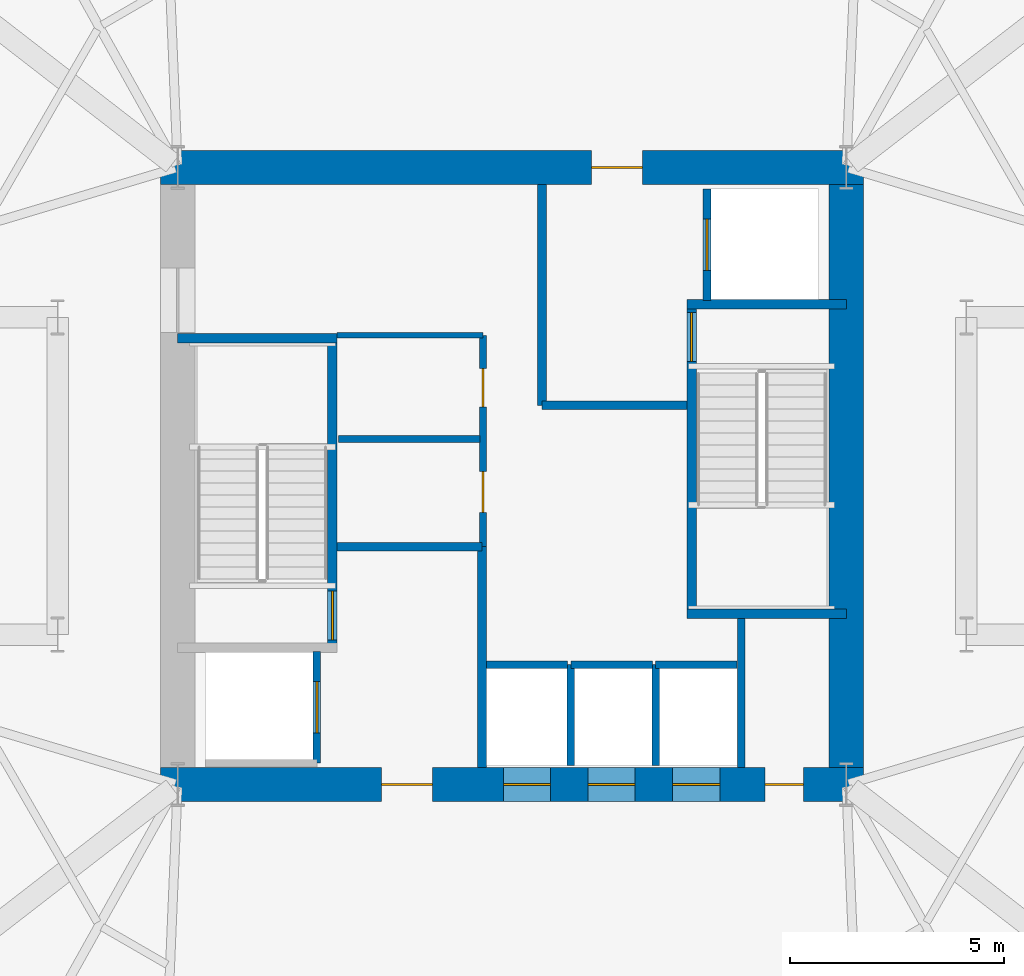
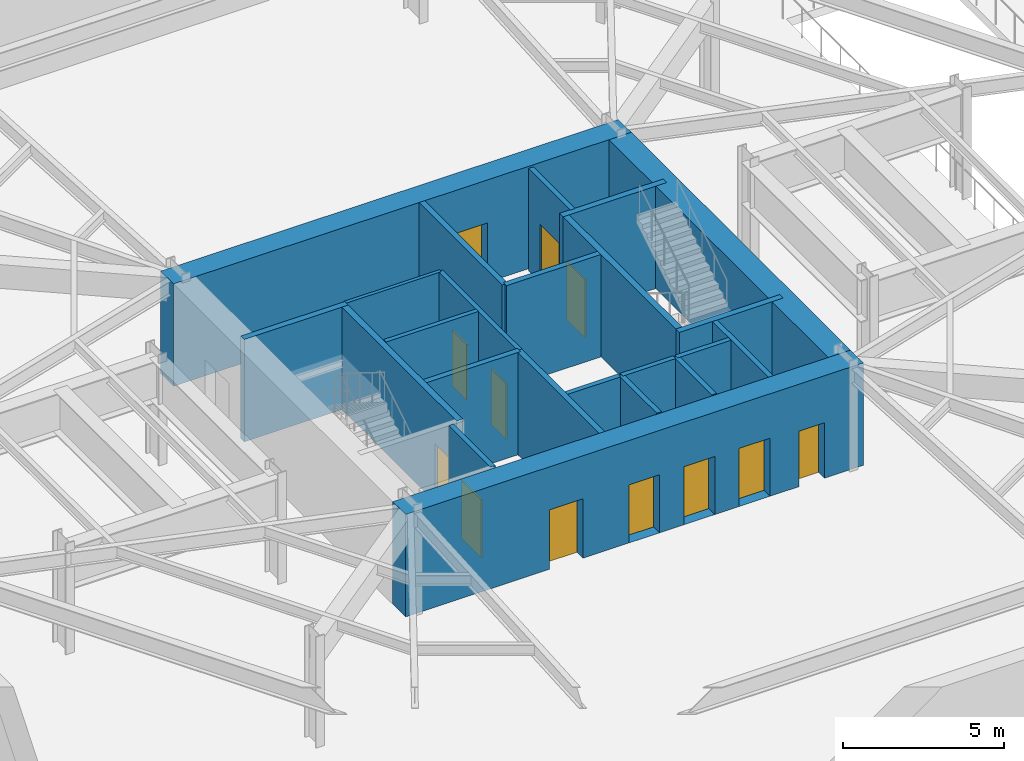
# One storey, part 7 of 12: 23 walls, 12 doors, 12 openings.
"""IFC4 building model written with IfcOpenShell, lengths in metres."""

from ifc_helpers import new_model, si_unit, direction, frame, frame_2d, origin, place, context, subcontext, project, spatial, rectangle, extrude, material, layer, layer_set, type_object, element, fill, save


model = new_model("IFC4")

# Units and contexts
model_context = context("Model", 3, precision=1e-05, world=origin(), true_north=direction((0.0, 1.0)))
body_context = subcontext(model_context, "Body", "Model", "MODEL_VIEW")
ifc_project = project(units=[si_unit("LENGTHUNIT", "METRE"), si_unit("AREAUNIT", "SQUARE_METRE"), si_unit("VOLUMEUNIT", "CUBIC_METRE"), si_unit("PLANEANGLEUNIT", "RADIAN"), si_unit("MASSUNIT", "GRAM", prefix="KILO")], contexts=[model_context])

# Site, building, storey
site_placement = place(None, origin())
site = spatial("IfcSite", under=ifc_project, at=site_placement, CompositionType="ELEMENT")
building_placement = place(site_placement, origin())
building = spatial("IfcBuilding", under=site, at=building_placement, Name="Kranzbogen Civic Tower", CompositionType="ELEMENT")
storey_placement = place(building_placement, frame((0.0, 0.0, -4.199951171875)))
storey = spatial("IfcBuildingStorey", under=building, at=storey_placement, Name="B01", CompositionType="ELEMENT", Elevation=-4.199951171875)

# Wall
ifc_material_1 = material(Name="Insulated Metal-Stud Gypsum Partition")
ifc_layer_1 = layer(ifc_material_1, 0.125, Name="Insulated Metal-Stud Gypsum Partition")
ifc_layer_set_1 = layer_set([ifc_layer_1], Name="Insulated Metal-Stud Gypsum Partition")
wall_type_1 = type_object("IfcWallType", Name="Acoustic Inter-Room Partition 125 mm", PredefinedType="PARTITIONING", material=ifc_layer_set_1)
wall_1_placement = place(storey_placement, frame((20.919921875, 28.280029296875, 0.0), z_axis=(0.0, 0.0, 1.0), x_axis=(1.0, 0.0, 0.0)))
element("IfcWall", 1, at=wall_1_placement, inside=storey, type_object=wall_type_1, Name="B01 core auxiliary North wall", PredefinedType="PARTITIONING", context=body_context, shape_type="SweptSolid", body=[
    extrude(rectangle(XDim=3.405029296875, YDim=0.125, at=frame_2d((1.70263671875, 0.0))), origin(), (0.0, 0.0, 1.0), 3.8798828125),
])

# Wall, openings, doors
ifc_material_2 = material(Name="Concrete C55/67", Category="concrete")
ifc_layer_2 = layer(ifc_material_2, 0.800048828125, Name="Concrete C55/67")
ifc_layer_set_2 = layer_set([ifc_layer_2], Name="Concrete C55/67")
wall_type_2 = type_object("IfcWallType", Name="Central Core Shear Wall 800 mm", PredefinedType="SHEAR", material=ifc_layer_set_2)
wall_2_placement = place(storey_placement, frame((16.800048828125, 17.800048828125, 0.0), z_axis=(0.0, 0.0, 1.0), x_axis=(1.0, 0.0, 0.0)))
wall_2 = element("IfcWall", 2, at=wall_2_placement, inside=storey, type_object=wall_type_2, Name="B01 central core South shear wall", PredefinedType="SHEAR", context=body_context, shape_type="SweptSolid", body=[
    extrude(rectangle(XDim=16.39990234375, YDim=0.800048828125, at=frame_2d((8.199951171875, 0.0))), origin(), (0.0, 0.0, 1.0), 3.8798828125),
])
opening_1_placement = place(wall_2_placement, frame((5.14990234375, 0.0, 0.0)))
opening_1 = element("IfcOpeningElement", 3, at=opening_1_placement, cuts=wall_2, Name="Opening D-EX120", PredefinedType="OPENING", context=body_context, shape_type="SweptSolid", body=[
    extrude(rectangle(XDim=1.199951171875, YDim=2.25, at=frame_2d((0.60009765625, 1.125))), frame((0.0, 0.41015625, 0.0), z_axis=(0.0, -1.0, 0.0), x_axis=(1.0, 0.0, 0.0)), (0.0, 0.0, 1.0), 0.820068359375),
])
opening_2_placement = place(wall_2_placement, frame((14.10009765625, 0.0, 0.0)))
opening_2 = element("IfcOpeningElement", 4, at=opening_2_placement, cuts=wall_2, Name="Opening D-WC90", PredefinedType="OPENING", context=body_context, shape_type="SweptSolid", body=[
    extrude(rectangle(XDim=0.89990234375, YDim=2.10009765625, at=frame_2d((0.449951171875, 1.050048828125))), frame((0.0, 0.41015625, 0.0), z_axis=(0.0, -1.0, 0.0), x_axis=(1.0, 0.0, 0.0)), (0.0, 0.0, 1.0), 0.820068359375),
])
opening_3_placement = place(wall_2_placement, frame((8.0, 0.0, 0.0)))
opening_3 = element("IfcOpeningElement", 5, at=opening_3_placement, cuts=wall_2, Name="Opening LD-LP-01", PredefinedType="OPENING", context=body_context, shape_type="SweptSolid", body=[
    extrude(rectangle(XDim=1.10009765625, YDim=2.199951171875, at=frame_2d((0.550048828125, 1.10009765625))), frame((0.0, 0.41015625, 0.0), z_axis=(0.0, -1.0, 0.0), x_axis=(1.0, 0.0, 0.0)), (0.0, 0.0, 1.0), 0.820068359375),
])
opening_4_placement = place(wall_2_placement, frame((9.97509765625, 0.0, 0.0)))
opening_4 = element("IfcOpeningElement", 6, at=opening_4_placement, cuts=wall_2, Name="Opening LD-LP-02", PredefinedType="OPENING", context=body_context, shape_type="SweptSolid", body=[
    extrude(rectangle(XDim=1.10009765625, YDim=2.199951171875, at=frame_2d((0.550048828125, 1.10009765625))), frame((0.0, 0.41015625, 0.0), z_axis=(0.0, -1.0, 0.0), x_axis=(1.0, 0.0, 0.0)), (0.0, 0.0, 1.0), 0.820068359375),
])
opening_5_placement = place(wall_2_placement, frame((11.949951171875, 0.0, 0.0)))
opening_5 = element("IfcOpeningElement", 7, at=opening_5_placement, cuts=wall_2, Name="Opening LD-LP-03", PredefinedType="OPENING", context=body_context, shape_type="SweptSolid", body=[
    extrude(rectangle(XDim=1.10009765625, YDim=2.199951171875, at=frame_2d((0.550048828125, 1.10009765625))), frame((0.0, 0.41015625, 0.0), z_axis=(0.0, -1.0, 0.0), x_axis=(1.0, 0.0, 0.0)), (0.0, 0.0, 1.0), 0.820068359375),
])
ifc_material_3 = material(Name="Steel S355", Category="steel")
door_type_1 = type_object("IfcDoorType", Name="Exit Passageway Fire Door 1200x2250", OperationType="NOTDEFINED", PredefinedType="DOOR", material=ifc_material_3)
door_1_placement = place(opening_1_placement, origin())
door_1 = element("IfcDoor", 8, at=door_1_placement, inside=storey, type_object=door_type_1, Name="B01 West firefighting lobby corridor door", OperationType="SINGLE_SWING_RIGHT", OverallHeight=2.25, OverallWidth=1.199951171875, PredefinedType="DOOR", context=body_context, shape_type="SweptSolid", body=[
    extrude(rectangle(XDim=1.199951171875, YDim=2.25, at=frame_2d((0.60009765625, 1.125))), frame((0.0, 0.02490234375, 0.0), z_axis=(0.0, -1.0, 0.0), x_axis=(1.0, 0.0, 0.0)), (0.0, 0.0, 1.0), 0.050048828125),
])
fill(opening_1, door_1)
ifc_material_4 = material(Name="Pale Anodised Aluminium", Category="aluminium")
door_type_2 = type_object("IfcDoorType", Name="Passenger Lift Sliding Landing Door 1100x2200", OperationType="DOUBLE_DOOR_SLIDING", PredefinedType="DOOR", material=ifc_material_4)
door_2_placement = place(opening_3_placement, origin())
door_2 = element("IfcDoor", 9, at=door_2_placement, inside=storey, type_object=door_type_2, Name="B01 lift LP-01 sliding landing door", OperationType="DOUBLE_DOOR_SLIDING", OverallHeight=2.199951171875, OverallWidth=1.10009765625, PredefinedType="DOOR", context=body_context, shape_type="SweptSolid", body=[
    extrude(rectangle(XDim=1.10009765625, YDim=2.199951171875, at=frame_2d((0.550048828125, 1.10009765625))), frame((0.0, 0.02490234375, 0.0), z_axis=(0.0, -1.0, 0.0), x_axis=(1.0, 0.0, 0.0)), (0.0, 0.0, 1.0), 0.050048828125),
])
fill(opening_3, door_2)
door_3_placement = place(opening_4_placement, origin())
door_3 = element("IfcDoor", 10, at=door_3_placement, inside=storey, type_object=door_type_2, Name="B01 lift LP-02 sliding landing door", OperationType="DOUBLE_DOOR_SLIDING", OverallHeight=2.199951171875, OverallWidth=1.10009765625, PredefinedType="DOOR", context=body_context, shape_type="SweptSolid", body=[
    extrude(rectangle(XDim=1.10009765625, YDim=2.199951171875, at=frame_2d((0.550048828125, 1.10009765625))), frame((0.0, 0.02490234375, 0.0), z_axis=(0.0, -1.0, 0.0), x_axis=(1.0, 0.0, 0.0)), (0.0, 0.0, 1.0), 0.050048828125),
])
fill(opening_4, door_3)
door_4_placement = place(opening_5_placement, origin())
door_4 = element("IfcDoor", 11, at=door_4_placement, inside=storey, type_object=door_type_2, Name="B01 lift LP-03 sliding landing door", OperationType="DOUBLE_DOOR_SLIDING", OverallHeight=2.199951171875, OverallWidth=1.10009765625, PredefinedType="DOOR", context=body_context, shape_type="SweptSolid", body=[
    extrude(rectangle(XDim=1.10009765625, YDim=2.199951171875, at=frame_2d((0.550048828125, 1.10009765625))), frame((0.0, 0.02490234375, 0.0), z_axis=(0.0, -1.0, 0.0), x_axis=(1.0, 0.0, 0.0)), (0.0, 0.0, 1.0), 0.050048828125),
])
fill(opening_5, door_4)
ifc_material_5 = material(Name="Moisture-Resistant Laminate")
door_type_3 = type_object("IfcDoorType", Name="Standard Restroom and Store Door 900x2100", OperationType="NOTDEFINED", PredefinedType="DOOR", material=ifc_material_5)
door_5_placement = place(opening_2_placement, origin())
door_5 = element("IfcDoor", 12, at=door_5_placement, inside=storey, type_object=door_type_3, Name="B01 East electrical riser access door", OperationType="SINGLE_SWING_RIGHT", OverallHeight=2.10009765625, OverallWidth=0.89990234375, PredefinedType="DOOR", context=body_context, shape_type="SweptSolid", body=[
    extrude(rectangle(XDim=0.89990234375, YDim=2.10009765625, at=frame_2d((0.449951171875, 1.050048828125))), frame((0.0, 0.02490234375, 0.0), z_axis=(0.0, -1.0, 0.0), x_axis=(1.0, 0.0, 0.0)), (0.0, 0.0, 1.0), 0.050048828125),
])
fill(opening_2, door_5)

# Wall, opening, door
wall_3_placement = place(storey_placement, frame((33.199951171875, 32.199951171875, 0.0), z_axis=(0.0, 0.0, 1.0), x_axis=(-1.0, 0.0, 0.0)))
wall_3 = element("IfcWall", 13, at=wall_3_placement, inside=storey, type_object=wall_type_2, Name="B01 central core North shear wall", PredefinedType="SHEAR", context=body_context, shape_type="SweptSolid", body=[
    extrude(rectangle(XDim=16.39990234375, YDim=0.800048828125, at=frame_2d((8.199951171875, 0.0))), origin(), (0.0, 0.0, 1.0), 3.8798828125),
])
opening_6_placement = place(wall_3_placement, frame((5.14990234375, 0.0, 0.0)))
opening_6 = element("IfcOpeningElement", 14, at=opening_6_placement, cuts=wall_3, Name="Opening D-EX120", PredefinedType="OPENING", context=body_context, shape_type="SweptSolid", body=[
    extrude(rectangle(XDim=1.199951171875, YDim=2.25, at=frame_2d((0.60009765625, 1.125))), frame((0.0, 0.41015625, 0.0), z_axis=(0.0, -1.0, 0.0), x_axis=(1.0, 0.0, 0.0)), (0.0, 0.0, 1.0), 0.820068359375),
])
door_6_placement = place(opening_6_placement, origin())
door_6 = element("IfcDoor", 15, at=door_6_placement, inside=storey, type_object=door_type_1, Name="B01 East firefighting lobby corridor door", OperationType="SINGLE_SWING_LEFT", OverallHeight=2.25, OverallWidth=1.199951171875, PredefinedType="DOOR", context=body_context, shape_type="SweptSolid", body=[
    extrude(rectangle(XDim=1.199951171875, YDim=2.25, at=frame_2d((0.60009765625, 1.125))), frame((0.0, 0.02490234375, 0.0), z_axis=(0.0, -1.0, 0.0), x_axis=(1.0, 0.0, 0.0)), (0.0, 0.0, 1.0), 0.050048828125),
])
fill(opening_6, door_6)

# Wall
wall_4_placement = place(storey_placement, frame((32.800048828125, 18.199951171875, 0.0), z_axis=(0.0, 0.0, 1.0), x_axis=(0.0, 1.0, 0.0)))
element("IfcWall", 16, at=wall_4_placement, inside=storey, type_object=wall_type_2, Name="B01 central core East shear wall", PredefinedType="SHEAR", context=body_context, shape_type="SweptSolid", body=[
    extrude(rectangle(XDim=13.60009765625, YDim=0.800048828125, at=frame_2d((6.800048828125, 0.0))), origin(), (0.0, 0.0, 1.0), 3.8798828125),
])

# Wall, opening, door
ifc_material_6 = material(Name="Concrete C45/55", Category="concrete")
ifc_layer_3 = layer(ifc_material_6, 0.219970703125, Name="Concrete C45/55")
ifc_layer_set_3 = layer_set([ifc_layer_3], Name="Concrete C45/55")
wall_type_3 = type_object("IfcWallType", Name="Core Internal Stair Structural Wall 220 mm", PredefinedType="SOLIDWALL", material=ifc_layer_set_3)
wall_5_placement = place(storey_placement, frame((20.81005859375, 20.989990234375, 0.0), z_axis=(0.0, 0.0, 1.0), x_axis=(0.0, 1.0, 0.0)))
wall_5 = element("IfcWall", 17, at=wall_5_placement, inside=storey, type_object=wall_type_3, Name="B01 ST-T1 East structural stair wall", PredefinedType="SOLIDWALL", context=body_context, shape_type="SweptSolid", body=[
    extrude(rectangle(XDim=7.219970703125, YDim=0.219970703125, at=frame_2d((3.60986328125, 0.0))), origin(), (0.0, 0.0, 1.0), 3.8798828125),
])
opening_7_placement = place(wall_5_placement, frame((0.179931640625, 0.0, 0.0)))
opening_7 = element("IfcOpeningElement", 18, at=opening_7_placement, cuts=wall_5, Name="Opening D-ST90", PredefinedType="OPENING", context=body_context, shape_type="SweptSolid", body=[
    extrude(rectangle(XDim=1.14990234375, YDim=2.199951171875, at=frame_2d((0.574951171875, 1.10009765625))), frame((0.0, 0.1201171875, 0.0), z_axis=(0.0, -1.0, 0.0), x_axis=(1.0, 0.0, 0.0)), (0.0, 0.0, 1.0), 0.239990234375),
])
door_type_4 = type_object("IfcDoorType", Name="Pressurized Stair and Lobby Fire Door 1150x2200", OperationType="NOTDEFINED", PredefinedType="DOOR", material=ifc_material_3)
door_7_placement = place(opening_7_placement, origin())
door_7 = element("IfcDoor", 19, at=door_7_placement, inside=storey, type_object=door_type_4, Name="B01 Stair ST-T1 fire door", OperationType="SINGLE_SWING_RIGHT", OverallHeight=2.199951171875, OverallWidth=1.14990234375, PredefinedType="DOOR", context=body_context, shape_type="SweptSolid", body=[
    extrude(rectangle(XDim=1.14990234375, YDim=2.199951171875, at=frame_2d((0.574951171875, 1.10009765625))), frame((0.0, 0.02490234375, 0.0), z_axis=(0.0, -1.0, 0.0), x_axis=(1.0, 0.0, 0.0)), (0.0, 0.0, 1.0), 0.050048828125),
])
fill(opening_7, door_7)

# Wall
wall_6_placement = place(storey_placement, frame((17.199951171875, 28.2099609375, 0.0), z_axis=(0.0, 0.0, 1.0), x_axis=(1.0, 0.0, 0.0)))
element("IfcWall", 20, at=wall_6_placement, inside=storey, type_object=wall_type_3, Name="B01 ST-T1 North structural stair wall", PredefinedType="SOLIDWALL", context=body_context, shape_type="SweptSolid", body=[
    extrude(rectangle(XDim=3.719970703125, YDim=0.219970703125, at=frame_2d((1.85986328125, 0.0))), origin(), (0.0, 0.0, 1.0), 3.8798828125),
])

# Wall, opening, door
wall_7_placement = place(storey_placement, frame((29.18994140625, 21.7900390625, 0.0), z_axis=(0.0, 0.0, 1.0), x_axis=(0.0, 1.0, 0.0)))
wall_7 = element("IfcWall", 21, at=wall_7_placement, inside=storey, type_object=wall_type_3, Name="B01 ST-T2 West structural stair wall", PredefinedType="SOLIDWALL", context=body_context, shape_type="SweptSolid", body=[
    extrude(rectangle(XDim=7.219970703125, YDim=0.219970703125, at=frame_2d((3.60986328125, 0.0))), origin(), (0.0, 0.0, 1.0), 3.8798828125),
])
opening_8_placement = place(wall_7_placement, frame((5.8798828125, 0.0, 0.0)))
opening_8 = element("IfcOpeningElement", 22, at=opening_8_placement, cuts=wall_7, Name="Opening D-ST90", PredefinedType="OPENING", context=body_context, shape_type="SweptSolid", body=[
    extrude(rectangle(XDim=1.14990234375, YDim=2.199951171875, at=frame_2d((0.574951171875, 1.10009765625))), frame((0.0, 0.1201171875, 0.0), z_axis=(0.0, -1.0, 0.0), x_axis=(1.0, 0.0, 0.0)), (0.0, 0.0, 1.0), 0.239990234375),
])
door_8_placement = place(opening_8_placement, origin())
door_8 = element("IfcDoor", 23, at=door_8_placement, inside=storey, type_object=door_type_4, Name="B01 Stair ST-T2 fire door", OperationType="SINGLE_SWING_LEFT", OverallHeight=2.199951171875, OverallWidth=1.14990234375, PredefinedType="DOOR", context=body_context, shape_type="SweptSolid", body=[
    extrude(rectangle(XDim=1.14990234375, YDim=2.199951171875, at=frame_2d((0.574951171875, 1.10009765625))), frame((0.0, 0.02490234375, 0.0), z_axis=(0.0, -1.0, 0.0), x_axis=(1.0, 0.0, 0.0)), (0.0, 0.0, 1.0), 0.050048828125),
])
fill(opening_8, door_8)

# Walls
for number, where, z_axis, x_axis, name in (
    (24, (29.080078125, 21.7900390625, 0.0), (0.0, 0.0, 1.0), (1.0, 0.0, 0.0), "B01 ST-T2 South structural stair wall"),
    (25, (29.080078125, 29.010009765625, 0.0), (0.0, 0.0, 1.0), (1.0, 0.0, 0.0), "B01 ST-T2 North structural stair wall"),
):
    element("IfcWall", number, at=place(storey_placement, frame(where, z_axis=z_axis, x_axis=x_axis)), inside=storey, type_object=wall_type_3, Name=name, PredefinedType="SOLIDWALL", context=body_context, shape_type="SweptSolid", body=[
        extrude(rectangle(XDim=3.719970703125, YDim=0.219970703125, at=frame_2d((1.85986328125, 0.0))), origin(), (0.0, 0.0, 1.0), 3.8798828125),
    ])
ifc_material_7 = material(Name="Gypsum Fireboard and Concrete Block", Category="concrete")
ifc_layer_4 = layer(ifc_material_7, 0.199951171875, Name="Gypsum Fireboard and Concrete Block")
ifc_layer_set_4 = layer_set([ifc_layer_4], Name="Gypsum Fireboard and Concrete Block")
wall_type_4 = type_object("IfcWallType", Name="Fire-Rated Exit Passageway and Stair Wall 200 mm", PredefinedType="PARTITIONING", material=ifc_layer_set_4)
wall_8_placement = place(storey_placement, frame((24.300048828125, 18.199951171875, 0.0), z_axis=(0.0, 0.0, 1.0), x_axis=(0.0, 1.0, 0.0)))
element("IfcWall", 26, at=wall_8_placement, inside=storey, type_object=wall_type_4, Name="B01 West firefighting lobby East wall", PredefinedType="PARTITIONING", context=body_context, shape_type="SweptSolid", body=[
    extrude(rectangle(XDim=5.150146484375, YDim=0.199951171875, at=frame_2d((2.5751953125, 0.0))), origin(), (0.0, 0.0, 1.0), 3.8798828125),
])
wall_9_placement = place(storey_placement, frame((20.919921875, 23.35009765625, 0.0), z_axis=(0.0, 0.0, 1.0), x_axis=(1.0, 0.0, 0.0)))
element("IfcWall", 27, at=wall_9_placement, inside=storey, type_object=wall_type_4, Name="B01 West firefighting lobby North wall", PredefinedType="PARTITIONING", context=body_context, shape_type="SweptSolid", body=[
    extrude(rectangle(XDim=3.380126953125, YDim=0.199951171875, at=frame_2d((1.68994140625, 0.0))), origin(), (0.0, 0.0, 1.0), 3.8798828125),
])
wall_10_placement = place(storey_placement, frame((25.699951171875, 26.64990234375, 0.0), z_axis=(0.0, 0.0, 1.0), x_axis=(0.0, 1.0, 0.0)))
element("IfcWall", 28, at=wall_10_placement, inside=storey, type_object=wall_type_4, Name="B01 East firefighting lobby West wall", PredefinedType="PARTITIONING", context=body_context, shape_type="SweptSolid", body=[
    extrude(rectangle(XDim=5.150146484375, YDim=0.199951171875, at=frame_2d((2.5751953125, 0.0))), origin(), (0.0, 0.0, 1.0), 3.8798828125),
])
wall_11_placement = place(storey_placement, frame((25.699951171875, 26.64990234375, 0.0), z_axis=(0.0, 0.0, 1.0), x_axis=(1.0, 0.0, 0.0)))
element("IfcWall", 29, at=wall_11_placement, inside=storey, type_object=wall_type_4, Name="B01 East firefighting lobby South wall", PredefinedType="PARTITIONING", context=body_context, shape_type="SweptSolid", body=[
    extrude(rectangle(XDim=3.380126953125, YDim=0.199951171875, at=frame_2d((1.68994140625, 0.0))), origin(), (0.0, 0.0, 1.0), 3.8798828125),
])
ifc_material_8 = material(Name="Gypsum Fireboard Shaftliner")
ifc_layer_5 = layer(ifc_material_8, 0.175048828125, Name="Gypsum Fireboard Shaftliner")
ifc_layer_set_5 = layer_set([ifc_layer_5], Name="Gypsum Fireboard Shaftliner")
wall_type_5 = type_object("IfcWallType", Name="Fire-Rated Lift and Service Shaft Wall 175 mm", PredefinedType="PARTITIONING", material=ifc_layer_set_5)
wall_12_placement = place(storey_placement, frame((30.35009765625, 18.199951171875, 0.0), z_axis=(0.0, 0.0, 1.0), x_axis=(0.0, 1.0, 0.0)))
element("IfcWall", 30, at=wall_12_placement, inside=storey, type_object=wall_type_5, Name="B01 East core riser West wall", PredefinedType="PARTITIONING", context=body_context, shape_type="SweptSolid", body=[
    extrude(rectangle(XDim=3.47998046875, YDim=0.175048828125, at=frame_2d((1.739990234375, 0.0))), origin(), (0.0, 0.0, 1.0), 3.8798828125),
])
wall_13_placement = place(storey_placement, frame((24.39990234375, 20.60009765625, 0.0), z_axis=(0.0, 0.0, 1.0), x_axis=(1.0, 0.0, 0.0)))
element("IfcWall", 31, at=wall_13_placement, inside=storey, type_object=wall_type_5, Name="B01 lift LP-01 rear wall", PredefinedType="PARTITIONING", context=body_context, shape_type="SweptSolid", body=[
    extrude(rectangle(XDim=1.900146484375, YDim=0.175048828125, at=frame_2d((0.9501953125, 0.0))), origin(), (0.0, 0.0, 1.0), 3.8798828125),
])
wall_14_placement = place(storey_placement, frame((26.375, 20.60009765625, 0.0), z_axis=(0.0, 0.0, 1.0), x_axis=(1.0, 0.0, 0.0)))
element("IfcWall", 32, at=wall_14_placement, inside=storey, type_object=wall_type_5, Name="B01 lift LP-02 rear wall", PredefinedType="PARTITIONING", context=body_context, shape_type="SweptSolid", body=[
    extrude(rectangle(XDim=1.89990234375, YDim=0.175048828125, at=frame_2d((0.949951171875, 0.0))), origin(), (0.0, 0.0, 1.0), 3.8798828125),
])
wall_15_placement = place(storey_placement, frame((26.375, 18.25, 0.0), z_axis=(0.0, 0.0, 1.0), x_axis=(0.0, 1.0, 0.0)))
element("IfcWall", 33, at=wall_15_placement, inside=storey, type_object=wall_type_5, Name="B01 lift LP-02 side wall", PredefinedType="PARTITIONING", context=body_context, shape_type="SweptSolid", body=[
    extrude(rectangle(XDim=2.35009765625, YDim=0.175048828125, at=frame_2d((1.175048828125, 0.0))), origin(), (0.0, 0.0, 1.0), 3.8798828125),
])
wall_16_placement = place(storey_placement, frame((28.35009765625, 20.60009765625, 0.0), z_axis=(0.0, 0.0, 1.0), x_axis=(1.0, 0.0, 0.0)))
element("IfcWall", 34, at=wall_16_placement, inside=storey, type_object=wall_type_5, Name="B01 lift LP-03 rear wall", PredefinedType="PARTITIONING", context=body_context, shape_type="SweptSolid", body=[
    extrude(rectangle(XDim=1.89990234375, YDim=0.175048828125, at=frame_2d((0.949951171875, 0.0))), origin(), (0.0, 0.0, 1.0), 3.8798828125),
])
wall_17_placement = place(storey_placement, frame((28.35009765625, 18.25, 0.0), z_axis=(0.0, 0.0, 1.0), x_axis=(0.0, 1.0, 0.0)))
element("IfcWall", 35, at=wall_17_placement, inside=storey, type_object=wall_type_5, Name="B01 lift LP-03 side wall", PredefinedType="PARTITIONING", context=body_context, shape_type="SweptSolid", body=[
    extrude(rectangle(XDim=2.35009765625, YDim=0.175048828125, at=frame_2d((1.175048828125, 0.0))), origin(), (0.0, 0.0, 1.0), 3.8798828125),
])

# Wall, opening, door
wall_18_placement = place(storey_placement, frame((20.449951171875, 18.300048828125, 0.0), z_axis=(0.0, 0.0, 1.0), x_axis=(0.0, 1.0, 0.0)))
wall_18 = element("IfcWall", 36, at=wall_18_placement, inside=storey, type_object=wall_type_5, Name="B01 lift FF-01 landing wall", PredefinedType="PARTITIONING", context=body_context, shape_type="SweptSolid", body=[
    extrude(rectangle(XDim=2.599853515625, YDim=0.175048828125, at=frame_2d((1.2998046875, 0.0))), origin(), (0.0, 0.0, 1.0), 3.8798828125),
])
opening_9_placement = place(wall_18_placement, frame((0.699951171875, 0.0, 0.0)))
opening_9 = element("IfcOpeningElement", 37, at=opening_9_placement, cuts=wall_18, Name="Opening LD-FF-01", PredefinedType="OPENING", context=body_context, shape_type="SweptSolid", body=[
    extrude(rectangle(XDim=1.199951171875, YDim=2.199951171875, at=frame_2d((0.60009765625, 1.10009765625))), frame((0.0, 0.09765625, 0.0), z_axis=(0.0, -1.0, 0.0), x_axis=(1.0, 0.0, 0.0)), (0.0, 0.0, 1.0), 0.195068359375),
])
door_type_5 = type_object("IfcDoorType", Name="Firefighting and Stretcher Lift Sliding Landing Door 1200x2200", OperationType="DOUBLE_DOOR_SLIDING", PredefinedType="DOOR", material=ifc_material_4)
door_9_placement = place(opening_9_placement, origin())
door_9 = element("IfcDoor", 38, at=door_9_placement, inside=storey, type_object=door_type_5, Name="B01 lift FF-01 sliding landing door", OperationType="DOUBLE_DOOR_SLIDING", OverallHeight=2.199951171875, OverallWidth=1.199951171875, PredefinedType="DOOR", context=body_context, shape_type="SweptSolid", body=[
    extrude(rectangle(XDim=1.199951171875, YDim=2.199951171875, at=frame_2d((0.60009765625, 1.10009765625))), frame((0.0, 0.02490234375, 0.0), z_axis=(0.0, -1.0, 0.0), x_axis=(1.0, 0.0, 0.0)), (0.0, 0.0, 1.0), 0.050048828125),
])
fill(opening_9, door_9)

wall_19_placement = place(storey_placement, frame((29.550048828125, 29.10009765625, 0.0), z_axis=(0.0, 0.0, 1.0), x_axis=(0.0, 1.0, 0.0)))
wall_19 = element("IfcWall", 39, at=wall_19_placement, inside=storey, type_object=wall_type_5, Name="B01 lift FF-02 landing wall", PredefinedType="PARTITIONING", context=body_context, shape_type="SweptSolid", body=[
    extrude(rectangle(XDim=2.599853515625, YDim=0.175048828125, at=frame_2d((1.2998046875, 0.0))), origin(), (0.0, 0.0, 1.0), 3.8798828125),
])
opening_10_placement = place(wall_19_placement, frame((0.699951171875, 0.0, 0.0)))
opening_10 = element("IfcOpeningElement", 40, at=opening_10_placement, cuts=wall_19, Name="Opening LD-FF-02", PredefinedType="OPENING", context=body_context, shape_type="SweptSolid", body=[
    extrude(rectangle(XDim=1.199951171875, YDim=2.199951171875, at=frame_2d((0.60009765625, 1.10009765625))), frame((0.0, 0.09765625, 0.0), z_axis=(0.0, -1.0, 0.0), x_axis=(1.0, 0.0, 0.0)), (0.0, 0.0, 1.0), 0.195068359375),
])
door_10_placement = place(opening_10_placement, origin())
door_10 = element("IfcDoor", 41, at=door_10_placement, inside=storey, type_object=door_type_5, Name="B01 lift FF-02 sliding landing door", OperationType="DOUBLE_DOOR_SLIDING", OverallHeight=2.199951171875, OverallWidth=1.199951171875, PredefinedType="DOOR", context=body_context, shape_type="SweptSolid", body=[
    extrude(rectangle(XDim=1.199951171875, YDim=2.199951171875, at=frame_2d((0.60009765625, 1.10009765625))), frame((0.0, 0.02490234375, 0.0), z_axis=(0.0, -1.0, 0.0), x_axis=(1.0, 0.0, 0.0)), (0.0, 0.0, 1.0), 0.050048828125),
])
fill(opening_10, door_10)

# Wall, openings, doors
ifc_material_9 = material(Name="Moisture-Resistant Gypsum Assembly")
ifc_layer_6 = layer(ifc_material_9, 0.159912109375, Name="Moisture-Resistant Gypsum Assembly")
ifc_layer_set_6 = layer_set([ifc_layer_6], Name="Moisture-Resistant Gypsum Assembly")
wall_type_6 = type_object("IfcWallType", Name="Sanitary and Plumbing Wet Wall 160 mm", PredefinedType="PLUMBINGWALL", material=ifc_layer_set_6)
wall_20_placement = place(storey_placement, frame((24.324951171875, 23.35009765625, 0.0), z_axis=(0.0, 0.0, 1.0), x_axis=(0.0, 1.0, 0.0)))
wall_20 = element("IfcWall", 42, at=wall_20_placement, inside=storey, type_object=wall_type_6, Name="B01 core auxiliary East wall", PredefinedType="PLUMBINGWALL", context=body_context, shape_type="SweptSolid", body=[
    extrude(rectangle(XDim=4.929931640625, YDim=0.159912109375, at=frame_2d((2.46484375, 0.0))), origin(), (0.0, 0.0, 1.0), 3.8798828125),
])
opening_11_placement = place(wall_20_placement, frame((0.800048828125, 0.0, 0.0)))
opening_11 = element("IfcOpeningElement", 43, at=opening_11_placement, cuts=wall_20, Name="Opening D-AWC95", PredefinedType="OPENING", context=body_context, shape_type="SweptSolid", body=[
    extrude(rectangle(XDim=0.949951171875, YDim=2.10009765625, at=frame_2d((0.47509765625, 1.050048828125))), frame((0.0, 0.08984375, 0.0), z_axis=(0.0, -1.0, 0.0), x_axis=(1.0, 0.0, 0.0)), (0.0, 0.0, 1.0), 0.179931640625),
])
opening_12_placement = place(wall_20_placement, frame((3.260009765625, 0.0, 0.0)))
opening_12 = element("IfcOpeningElement", 44, at=opening_12_placement, cuts=wall_20, Name="Opening D-WC90", PredefinedType="OPENING", context=body_context, shape_type="SweptSolid", body=[
    extrude(rectangle(XDim=0.89990234375, YDim=2.10009765625, at=frame_2d((0.449951171875, 1.050048828125))), frame((0.0, 0.08984375, 0.0), z_axis=(0.0, -1.0, 0.0), x_axis=(1.0, 0.0, 0.0)), (0.0, 0.0, 1.0), 0.179931640625),
])
door_type_6 = type_object("IfcDoorType", Name="Accessible Restroom Door 950x2100", OperationType="NOTDEFINED", PredefinedType="DOOR", material=ifc_material_5)
door_11_placement = place(opening_11_placement, origin())
door_11 = element("IfcDoor", 45, at=door_11_placement, inside=storey, type_object=door_type_6, Name="B01 Accessible Restroom door", OperationType="SINGLE_SWING_RIGHT", OverallHeight=2.10009765625, OverallWidth=0.949951171875, PredefinedType="DOOR", context=body_context, shape_type="SweptSolid", body=[
    extrude(rectangle(XDim=0.949951171875, YDim=2.10009765625, at=frame_2d((0.47509765625, 1.050048828125))), frame((0.0, 0.02490234375, 0.0), z_axis=(0.0, -1.0, 0.0), x_axis=(1.0, 0.0, 0.0)), (0.0, 0.0, 1.0), 0.050048828125),
])
fill(opening_11, door_11)
door_12_placement = place(opening_12_placement, origin())
door_12 = element("IfcDoor", 46, at=door_12_placement, inside=storey, type_object=door_type_3, Name="B01 Staff Restroom door", OperationType="SINGLE_SWING_LEFT", OverallHeight=2.10009765625, OverallWidth=0.89990234375, PredefinedType="DOOR", context=body_context, shape_type="SweptSolid", body=[
    extrude(rectangle(XDim=0.89990234375, YDim=2.10009765625, at=frame_2d((0.449951171875, 1.050048828125))), frame((0.0, 0.02490234375, 0.0), z_axis=(0.0, -1.0, 0.0), x_axis=(1.0, 0.0, 0.0)), (0.0, 0.0, 1.0), 0.050048828125),
])
fill(opening_12, door_12)

# Wall
wall_21_placement = place(storey_placement, frame((20.949951171875, 25.860107421875, 0.0), z_axis=(0.0, 0.0, 1.0), x_axis=(1.0, 0.0, 0.0)))
element("IfcWall", 47, at=wall_21_placement, inside=storey, type_object=wall_type_6, Name="B01 core auxiliary partition 1", PredefinedType="PLUMBINGWALL", context=body_context, shape_type="SweptSolid", body=[
    extrude(rectangle(XDim=3.300048828125, YDim=0.159912109375, at=frame_2d((1.64990234375, 0.0))), origin(), (0.0, 0.0, 1.0), 3.8798828125),
])

save(model, "model.ifc")
